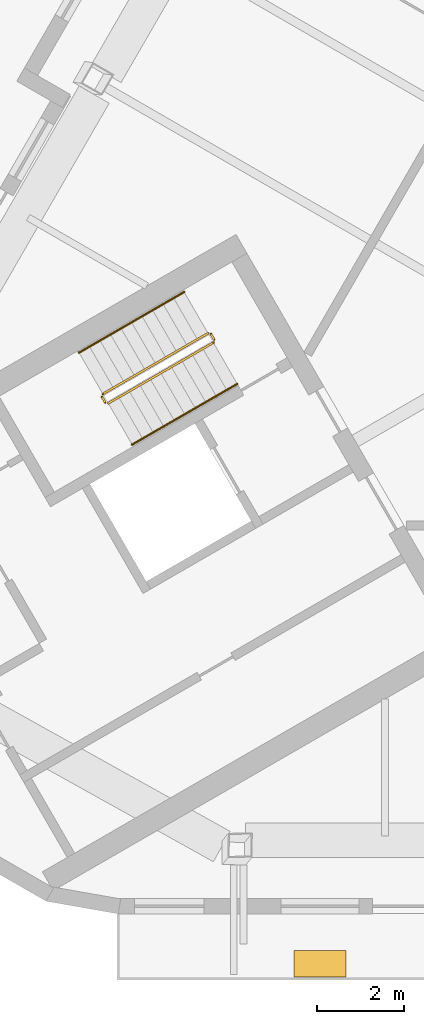
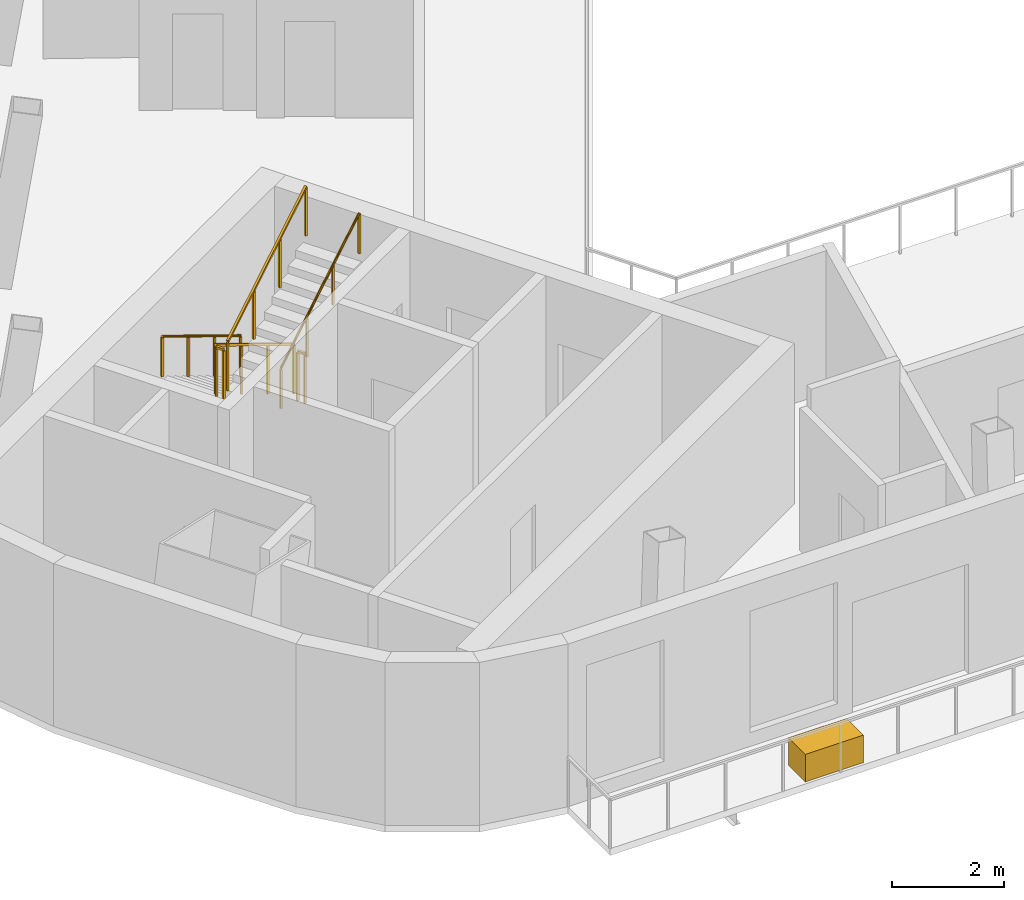
# One storey, part 9 of 13: 6 railings, 1 covering.
"""IFC4 building model written with IfcOpenShell, lengths in metres."""

from ifc_helpers import new_model, si_unit, direction, frame, origin, origin_2d, place, context, subcontext, project, spatial, rectangle, circle, extrude, material, type_object, element, save


model = new_model("IFC4")

# Units and contexts
model_context = context("Model", 3, precision=1e-05, world=origin(), true_north=direction((0.0, 1.0)))
body_context = subcontext(model_context, "Body", "Model", "MODEL_VIEW")
ifc_project = project(units=[si_unit("LENGTHUNIT", "METRE"), si_unit("AREAUNIT", "SQUARE_METRE"), si_unit("VOLUMEUNIT", "CUBIC_METRE"), si_unit("PLANEANGLEUNIT", "RADIAN"), si_unit("MASSUNIT", "GRAM", prefix="KILO")], contexts=[model_context])

# Site, building, storey
site_placement = place(None, origin())
site = spatial("IfcSite", under=ifc_project, at=site_placement, CompositionType="ELEMENT")
building_placement = place(site_placement, origin())
building = spatial("IfcBuilding", under=site, at=building_placement, Name="Apuvela Tower Hotel", CompositionType="ELEMENT")
storey_placement = place(building_placement, frame((0.0, 0.0, 298.5)))
storey = spatial("IfcBuildingStorey", under=building, at=storey_placement, Name="L74", CompositionType="ELEMENT", Elevation=298.5)

# Railings
ifc_material_1 = material(Name="Steel S275 balustrade", Category="steel")
railing_type_1 = type_object("IfcRailingType", Name="COR-GUARD-1100", PredefinedType="GUARDRAIL", material=ifc_material_1)
railing_1_placement = place(storey_placement, frame((-14.569091796875, -3.9658203125, 0.168212890625)))
element("IfcRailing", 1, at=railing_1_placement, inside=storey, type_object=railing_type_1, Name="L74 ST2 stair guard 1", PredefinedType="GUARDRAIL", context=body_context, shape_type="SweptSolid", body=[
    extrude(rectangle(XDim=0.048095703125, YDim=0.048095703125, at=origin_2d()), frame((0.0, 0.0, 1.076171875), z_axis=(-0.742390482028, -0.42860119049, 0.514934356695), x_axis=(0.49998411664, -0.866034573852, 0.0)), (0.0, 0.0, 1.0), 3.26611328125),
    extrude(rectangle(XDim=0.0419921875, YDim=0.0419921875, at=origin_2d()), origin(), (0.0, 0.0, 1.0), 1.052001953125),
    extrude(rectangle(XDim=0.0419921875, YDim=0.0419921875, at=origin_2d()), frame((-0.808349609375, -0.466552734375, 0.560546875)), (0.0, 0.0, 1.0), 1.052001953125),
    extrude(rectangle(XDim=0.0419921875, YDim=0.0419921875, at=origin_2d()), frame((-1.616455078125, -0.933349609375, 1.121337890625)), (0.0, 0.0, 1.0), 1.052001953125),
    extrude(rectangle(XDim=0.0419921875, YDim=0.0419921875, at=origin_2d()), frame((-2.4248046875, -1.39990234375, 1.681884765625)), (0.0, 0.0, 1.0), 1.052001953125),
])
railing_2_placement = place(storey_placement, frame((-17.01220703125, -5.43408203125, 1.85009765625)))
element("IfcRailing", 2, at=railing_2_placement, inside=storey, type_object=railing_type_1, Name="L74 ST2 stair guard 2", PredefinedType="GUARDRAIL", context=body_context, shape_type="SweptSolid", body=[
    extrude(rectangle(XDim=0.048095703125, YDim=0.048095703125, at=origin_2d()), frame((0.0, 0.0, 1.076171875), z_axis=(0.499816412211, -0.866131372301, 0.0), x_axis=(0.866131372301, 0.499816412211, 0.0)), (0.0, 0.0, 1.0), 0.14990234375),
    extrude(rectangle(XDim=0.0419921875, YDim=0.0419921875, at=origin_2d()), origin(), (0.0, 0.0, 1.0), 1.052001953125),
    extrude(rectangle(XDim=0.0419921875, YDim=0.0419921875, at=origin_2d()), frame((0.074951171875, -0.1298828125, 0.0)), (0.0, 0.0, 1.0), 1.052001953125),
])
railing_3_placement = place(storey_placement, frame((-16.868896484375, -5.582275390625, 2.01806640625)))
element("IfcRailing", 3, at=railing_3_placement, inside=storey, type_object=railing_type_1, Name="L74 ST2 stair guard 3", PredefinedType="GUARDRAIL", context=body_context, shape_type="SweptSolid", body=[
    extrude(rectangle(XDim=0.048095703125, YDim=0.048095703125, at=origin_2d()), frame((0.0, 0.0, 1.076171875), z_axis=(0.742390482028, 0.42860119049, 0.514934356695), x_axis=(-0.49998411664, 0.866034573852, 0.0)), (0.0, 0.0, 1.0), 3.26611328125),
    extrude(rectangle(XDim=0.0419921875, YDim=0.0419921875, at=origin_2d()), origin(), (0.0, 0.0, 1.0), 1.052001953125),
    extrude(rectangle(XDim=0.0419921875, YDim=0.0419921875, at=origin_2d()), frame((0.808349609375, 0.466552734375, 0.560546875)), (0.0, 0.0, 1.0), 1.052001953125),
    extrude(rectangle(XDim=0.0419921875, YDim=0.0419921875, at=origin_2d()), frame((1.616455078125, 0.933349609375, 1.121337890625)), (0.0, 0.0, 1.0), 1.052001953125),
    extrude(rectangle(XDim=0.0419921875, YDim=0.0419921875, at=origin_2d()), frame((2.4248046875, 1.39990234375, 1.681884765625)), (0.0, 0.0, 1.0), 1.052001953125),
])
railing_4_placement = place(storey_placement, frame((-14.500732421875, -3.984130859375, 0.0)))
element("IfcRailing", 4, at=railing_4_placement, inside=storey, type_object=railing_type_1, Name="L74 ST2 stair guard 4", PredefinedType="GUARDRAIL", context=body_context, shape_type="SweptSolid", body=[
    extrude(rectangle(XDim=0.048095703125, YDim=0.048095703125, at=origin_2d()), frame((0.0, 0.0, 1.076171875), z_axis=(0.499816412211, -0.866131372301, 0.0), x_axis=(0.866131372301, 0.499816412211, 0.0)), (0.0, 0.0, 1.0), 0.14990234375),
    extrude(rectangle(XDim=0.0419921875, YDim=0.0419921875, at=origin_2d()), origin(), (0.0, 0.0, 1.0), 1.052001953125),
    extrude(rectangle(XDim=0.0419921875, YDim=0.0419921875, at=origin_2d()), frame((0.074951171875, -0.1298828125, 0.0)), (0.0, 0.0, 1.0), 1.052001953125),
])
ifc_material_2 = material(Name="Stainless steel 316 handrail", Category="steel")
railing_type_2 = type_object("IfcRailingType", Name="COR-HANDRAIL-900", PredefinedType="HANDRAIL", material=ifc_material_2)
railing_5_placement = place(storey_placement, frame((-15.118896484375, -3.01318359375, 0.168212890625)))
element("IfcRailing", 5, at=railing_5_placement, inside=storey, type_object=railing_type_2, Name="L74 ST2 stair handrail 1", PredefinedType="HANDRAIL", context=body_context, shape_type="SweptSolid", body=[
    extrude(circle(Radius=0.02392578125, at=origin_2d()), frame((0.0, 0.0, 0.8759765625), z_axis=(-0.742424030051, -0.428577407461, 0.514905783049), x_axis=(0.49994636267, -0.866056369097, 0.0)), (0.0, 0.0, 1.0), 3.266357421875),
    extrude(rectangle(XDim=0.0419921875, YDim=0.0419921875, at=origin_2d()), origin(), (0.0, 0.0, 1.0), 0.851806640625),
    extrude(rectangle(XDim=0.0419921875, YDim=0.0419921875, at=origin_2d()), frame((-0.808349609375, -0.466552734375, 0.560546875)), (0.0, 0.0, 1.0), 0.851806640625),
    extrude(rectangle(XDim=0.0419921875, YDim=0.0419921875, at=origin_2d()), frame((-1.61669921875, -0.933349609375, 1.121337890625)), (0.0, 0.0, 1.0), 0.851806640625),
    extrude(rectangle(XDim=0.0419921875, YDim=0.0419921875, at=origin_2d()), frame((-2.425048828125, -1.39990234375, 1.681884765625)), (0.0, 0.0, 1.0), 0.851806640625),
])
railing_6_placement = place(storey_placement, frame((-16.31884765625, -6.534912109375, 2.01806640625)))
element("IfcRailing", 6, at=railing_6_placement, inside=storey, type_object=railing_type_2, Name="L74 ST2 stair handrail 2", PredefinedType="HANDRAIL", context=body_context, shape_type="SweptSolid", body=[
    extrude(circle(Radius=0.02392578125, at=origin_2d()), frame((0.0, 0.0, 0.8759765625), z_axis=(0.742390482028, 0.42860119049, 0.514934356695), x_axis=(-0.49998411664, 0.866034573852, 0.0)), (0.0, 0.0, 1.0), 3.26611328125),
    extrude(rectangle(XDim=0.0419921875, YDim=0.0419921875, at=origin_2d()), origin(), (0.0, 0.0, 1.0), 0.851806640625),
    extrude(rectangle(XDim=0.0419921875, YDim=0.0419921875, at=origin_2d()), frame((0.808349609375, 0.466552734375, 0.560546875)), (0.0, 0.0, 1.0), 0.851806640625),
    extrude(rectangle(XDim=0.0419921875, YDim=0.0419921875, at=origin_2d()), frame((1.616455078125, 0.933349609375, 1.121337890625)), (0.0, 0.0, 1.0), 0.851806640625),
    extrude(rectangle(XDim=0.0419921875, YDim=0.0419921875, at=origin_2d()), frame((2.4248046875, 1.39990234375, 1.681884765625)), (0.0, 0.0, 1.0), 0.851806640625),
])

# Covering
ifc_material_3 = material(Name="Planting substrate and soil, planted")
covering_type = type_object("IfcCoveringType", Name="ENV-PLANTER-1200x600", PredefinedType="USERDEFINED", material=ifc_material_3)
covering_placement = place(storey_placement, frame((-11.9873046875, -18.51171875, 0.0), z_axis=(0.0, 0.0, 1.0), x_axis=(1.0, 0.0, 0.0)))
element("IfcCovering", 7, at=covering_placement, inside=storey, type_object=covering_type, Name="Planter S1", ObjectType="PLANTER", PredefinedType="USERDEFINED", context=body_context, shape_type="SweptSolid", body=[
    extrude(rectangle(XDim=1.199951171875, YDim=0.60009765625, at=origin_2d()), origin(), (0.0, 0.0, 1.0), 0.60009765625),
])

save(model, "model.ifc")
